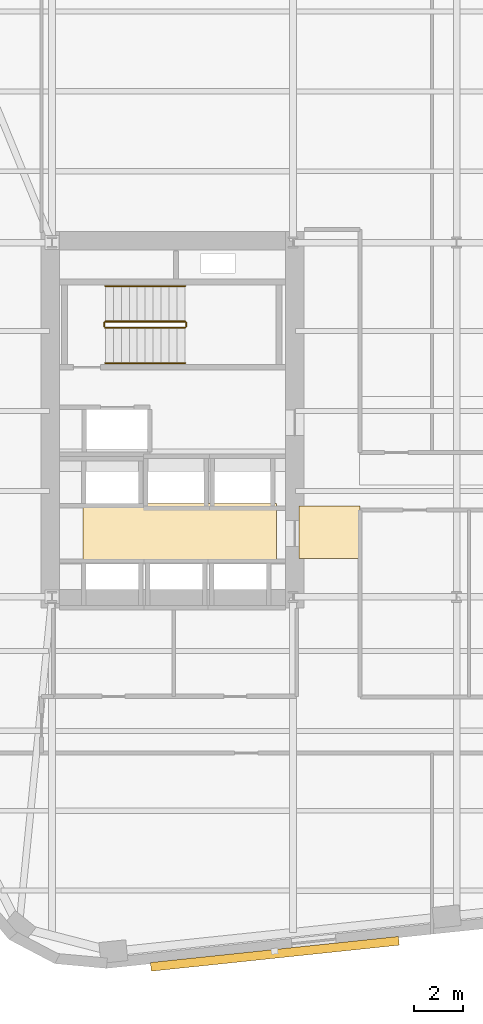
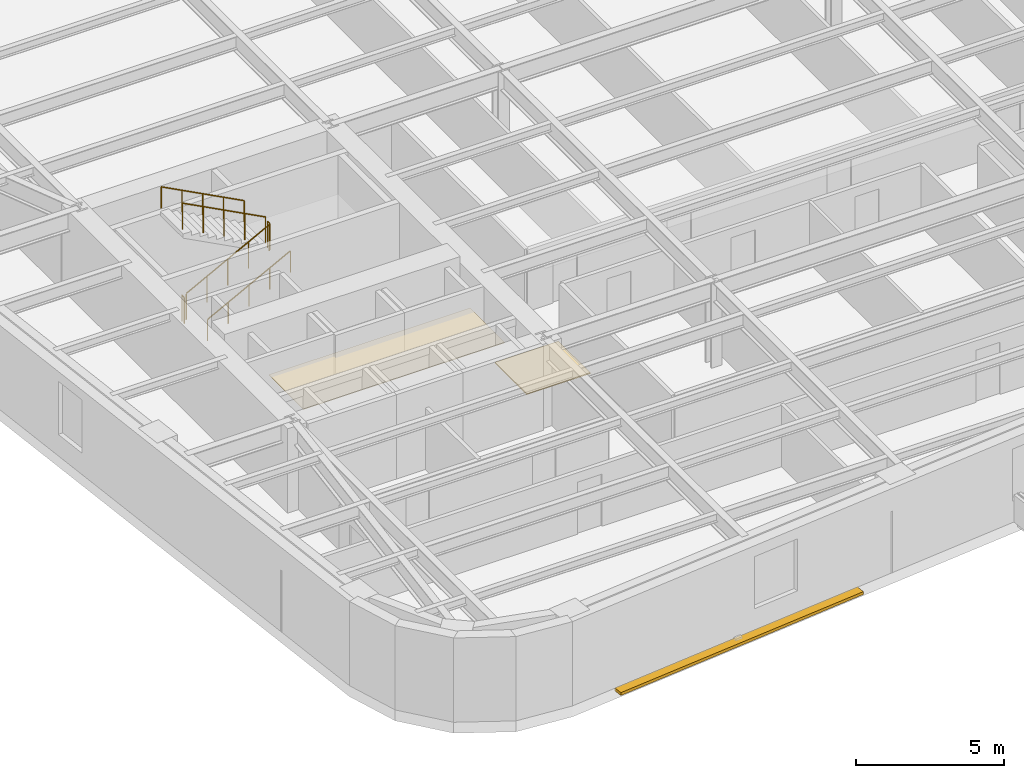
# One storey, part 8 of 11: 6 railings, 2 coverings, 1 shading device.
"""IFC4 building model written with IfcOpenShell, lengths in metres."""

from ifc_helpers import new_model, si_unit, direction, frame, origin, origin_2d, place, context, subcontext, project, spatial, polyline, rectangle, circle, outline, extrude, material, layer, layer_set, type_object, element, save


model = new_model("IFC4")

# Units and contexts
model_context = context("Model", 3, precision=1e-05, world=origin(), true_north=direction((0.0, 1.0)))
body_context = subcontext(model_context, "Body", "Model", "MODEL_VIEW")
ifc_project = project(units=[si_unit("LENGTHUNIT", "METRE"), si_unit("AREAUNIT", "SQUARE_METRE"), si_unit("VOLUMEUNIT", "CUBIC_METRE"), si_unit("PLANEANGLEUNIT", "RADIAN"), si_unit("MASSUNIT", "GRAM", prefix="KILO")], contexts=[model_context])

# Site, building, storey
site_placement = place(None, origin())
site = spatial("IfcSite", under=ifc_project, at=site_placement, CompositionType="ELEMENT")
building_placement = place(site_placement, origin())
building = spatial("IfcBuilding", under=site, at=building_placement, Name="Kolvaren Arena Tower", CompositionType="ELEMENT")
storey_placement = place(building_placement, frame((0.0, 0.0, 99.699951171875)))
storey = spatial("IfcBuildingStorey", under=building, at=storey_placement, Name="L22", CompositionType="ELEMENT", Elevation=99.699951171875)

# Coverings
ifc_material_1 = material(Name="Moisture-resistant gypsum ceiling", Category="gypsum")
ifc_layer_1 = layer(ifc_material_1, 0.030029296875)
ifc_layer_set_1 = layer_set([ifc_layer_1], Name="Moisture-resistant gypsum ceiling")
covering_type_1 = type_object("IfcCoveringType", Name="CEIL-GYP-1", PredefinedType="CEILING", material=ifc_layer_set_1)
covering_1_placement = place(storey_placement, frame((0.0, 0.0, 2.52001953125)))
element("IfcCovering", 1, at=covering_1_placement, inside=storey, type_object=covering_type_1, Name="Suspended Ceiling (L22)", PredefinedType="CEILING", context=body_context, shape_type="SweptSolid", body=[
    extrude(outline(polyline([(15.820068359375, 20.89990234375), (15.820068359375, 23.239990234375), (23.679931640625, 23.239990234375), (23.679931640625, 20.89990234375), (15.820068359375, 20.89990234375)])), origin(), (0.0, 0.0, 1.0), 0.030029296875),
])
ifc_material_2 = material(Name="Raised access office floor finish", Category="aluminium")
ifc_layer_2 = layer(ifc_material_2, 0.044921875)
ifc_layer_set_2 = layer_set([ifc_layer_2], Name="Raised access office floor finish")
covering_type_2 = type_object("IfcCoveringType", Name="FLOR-RAF-1", PredefinedType="FLOORING", material=ifc_layer_set_2)
covering_2_placement = place(storey_placement, origin())
element("IfcCovering", 2, at=covering_2_placement, inside=storey, type_object=covering_type_2, Name="Floor Finish (L22)", PredefinedType="FLOORING", context=body_context, shape_type="SweptSolid", body=[
    extrude(outline(polyline([(24.60009765625, 21.0), (24.60009765625, 23.14990234375), (27.080078125, 23.14990234375), (27.080078125, 21.0), (24.60009765625, 21.0)])), origin(), (0.0, 0.0, 1.0), 0.045166015625),
])

# Railings
ifc_material_3 = material(Name="Painted galvanized steel", Category="steel")
railing_type_1 = type_object("IfcRailingType", Name="GUARD-ST-110", PredefinedType="GUARDRAIL", material=ifc_material_3)
railing_1_placement = place(storey_placement, frame((16.719970703125, 30.389892578125, 0.17041015625)))
element("IfcRailing", 3, at=railing_1_placement, inside=storey, type_object=railing_type_1, Name="L22 ST-W1 stair guard 1", PredefinedType="GUARDRAIL", context=body_context, shape_type="SweptSolid", body=[
    extrude(circle(Radius=0.02392578125, at=origin_2d()), frame((0.0, 0.0, 1.076171875), z_axis=(0.884993431791, 0.0, 0.465603506952), x_axis=(0.0, 1.0, 0.0)), (0.0, 0.0, 1.0), 3.6611328125),
    extrude(circle(Radius=0.02099609375, at=origin_2d()), origin(), (0.0, 0.0, 1.0), 1.052001953125),
    extrude(circle(Radius=0.02099609375, at=origin_2d()), frame((0.81005859375, 0.0, 0.42626953125)), (0.0, 0.0, 1.0), 1.052001953125),
    extrude(circle(Radius=0.02099609375, at=origin_2d()), frame((1.6201171875, 0.0, 0.852294921875)), (0.0, 0.0, 1.0), 1.052001953125),
    extrude(circle(Radius=0.02099609375, at=origin_2d()), frame((2.429931640625, 0.0, 1.2783203125)), (0.0, 0.0, 1.0), 1.052001953125),
    extrude(circle(Radius=0.02099609375, at=origin_2d()), frame((3.239990234375, 0.0, 1.70458984375)), (0.0, 0.0, 1.0), 1.052001953125),
])
railing_2_placement = place(storey_placement, frame((20.010009765625, 30.43994140625, 1.875)))
element("IfcRailing", 4, at=railing_2_placement, inside=storey, type_object=railing_type_1, Name="L22 ST-W1 stair guard 2", PredefinedType="GUARDRAIL", context=body_context, shape_type="SweptSolid", body=[
    extrude(circle(Radius=0.02392578125, at=origin_2d()), frame((0.0, 0.0, 1.076171875), z_axis=(0.0, 1.0, 0.0), x_axis=(-1.0, 0.0, 0.0)), (0.0, 0.0, 1.0), 0.150146484375),
    extrude(circle(Radius=0.02099609375, at=origin_2d()), origin(), (0.0, 0.0, 1.0), 1.052001953125),
    extrude(circle(Radius=0.02099609375, at=origin_2d()), frame((0.0, 0.150146484375, 0.0)), (0.0, 0.0, 1.0), 1.052001953125),
])
railing_3_placement = place(storey_placement, frame((19.9599609375, 30.639892578125, 2.04541015625)))
element("IfcRailing", 5, at=railing_3_placement, inside=storey, type_object=railing_type_1, Name="L22 ST-W1 stair guard 3", PredefinedType="GUARDRAIL", context=body_context, shape_type="SweptSolid", body=[
    extrude(circle(Radius=0.02392578125, at=origin_2d()), frame((0.0, 0.0, 1.076171875), z_axis=(-0.884993431791, 0.0, 0.465603506952), x_axis=(0.0, -1.0, 0.0)), (0.0, 0.0, 1.0), 3.6611328125),
    extrude(circle(Radius=0.02099609375, at=origin_2d()), origin(), (0.0, 0.0, 1.0), 1.052001953125),
    extrude(circle(Radius=0.02099609375, at=origin_2d()), frame((-0.81005859375, 0.0, 0.42626953125)), (0.0, 0.0, 1.0), 1.052001953125),
    extrude(circle(Radius=0.02099609375, at=origin_2d()), frame((-1.6201171875, 0.0, 0.852294921875)), (0.0, 0.0, 1.0), 1.052001953125),
    extrude(circle(Radius=0.02099609375, at=origin_2d()), frame((-2.429931640625, 0.0, 1.2783203125)), (0.0, 0.0, 1.0), 1.052001953125),
    extrude(circle(Radius=0.02099609375, at=origin_2d()), frame((-3.239990234375, 0.0, 1.70458984375)), (0.0, 0.0, 1.0), 1.052001953125),
])
railing_4_placement = place(storey_placement, frame((16.669921875, 30.43994140625, 0.0)))
element("IfcRailing", 6, at=railing_4_placement, inside=storey, type_object=railing_type_1, Name="L22 ST-W1 stair guard 4", PredefinedType="GUARDRAIL", context=body_context, shape_type="SweptSolid", body=[
    extrude(circle(Radius=0.02392578125, at=origin_2d()), frame((0.0, 0.0, 1.076171875), z_axis=(0.0, 1.0, 0.0), x_axis=(-1.0, 0.0, 0.0)), (0.0, 0.0, 1.0), 0.150146484375),
    extrude(circle(Radius=0.02099609375, at=origin_2d()), origin(), (0.0, 0.0, 1.0), 1.052001953125),
    extrude(circle(Radius=0.02099609375, at=origin_2d()), frame((0.0, 0.150146484375, 0.0)), (0.0, 0.0, 1.0), 1.052001953125),
])
ifc_material_4 = material(Name="Brushed stainless steel handrail", Category="steel")
railing_type_2 = type_object("IfcRailingType", Name="HRAIL-900", PredefinedType="HANDRAIL", material=ifc_material_4)
railing_5_placement = place(storey_placement, frame((16.719970703125, 28.949951171875, 0.17041015625)))
element("IfcRailing", 7, at=railing_5_placement, inside=storey, type_object=railing_type_2, Name="L22 ST-W1 stair handrail 1", PredefinedType="HANDRAIL", context=body_context, shape_type="SweptSolid", body=[
    extrude(circle(Radius=0.02392578125, at=origin_2d()), frame((0.0, 0.0, 0.8759765625), z_axis=(0.884993431791, 0.0, 0.465603506952), x_axis=(0.0, 1.0, 0.0)), (0.0, 0.0, 1.0), 3.6611328125),
    extrude(circle(Radius=0.02099609375, at=origin_2d()), origin(), (0.0, 0.0, 1.0), 0.851806640625),
    extrude(circle(Radius=0.02099609375, at=origin_2d()), frame((0.81005859375, 0.0, 0.42626953125)), (0.0, 0.0, 1.0), 0.851806640625),
    extrude(circle(Radius=0.02099609375, at=origin_2d()), frame((1.6201171875, 0.0, 0.852294921875)), (0.0, 0.0, 1.0), 0.851806640625),
    extrude(circle(Radius=0.02099609375, at=origin_2d()), frame((2.429931640625, 0.0, 1.2783203125)), (0.0, 0.0, 1.0), 0.851806640625),
    extrude(circle(Radius=0.02099609375, at=origin_2d()), frame((3.239990234375, 0.0, 1.70458984375)), (0.0, 0.0, 1.0), 0.851806640625),
])
railing_6_placement = place(storey_placement, frame((19.9599609375, 32.080078125, 2.04541015625)))
element("IfcRailing", 8, at=railing_6_placement, inside=storey, type_object=railing_type_2, Name="L22 ST-W1 stair handrail 2", PredefinedType="HANDRAIL", context=body_context, shape_type="SweptSolid", body=[
    extrude(circle(Radius=0.02392578125, at=origin_2d()), frame((0.0, 0.0, 0.8759765625), z_axis=(-0.884993431791, 0.0, 0.465603506952), x_axis=(0.0, -1.0, 0.0)), (0.0, 0.0, 1.0), 3.6611328125),
    extrude(circle(Radius=0.02099609375, at=origin_2d()), origin(), (0.0, 0.0, 1.0), 0.851806640625),
    extrude(circle(Radius=0.02099609375, at=origin_2d()), frame((-0.81005859375, 0.0, 0.42626953125)), (0.0, 0.0, 1.0), 0.851806640625),
    extrude(circle(Radius=0.02099609375, at=origin_2d()), frame((-1.6201171875, 0.0, 0.852294921875)), (0.0, 0.0, 1.0), 0.851806640625),
    extrude(circle(Radius=0.02099609375, at=origin_2d()), frame((-2.429931640625, 0.0, 1.2783203125)), (0.0, 0.0, 1.0), 0.851806640625),
    extrude(circle(Radius=0.02099609375, at=origin_2d()), frame((-3.239990234375, 0.0, 1.70458984375)), (0.0, 0.0, 1.0), 0.851806640625),
])

# Shading device
ifc_material_5 = material(Name="Architectural precast GFRC and anodised aluminium sunshade", Category="concrete")
shading_device_type = type_object("IfcShadingDeviceType", Name="SHAD-SINE-A", PredefinedType="USERDEFINED", material=ifc_material_5)
shading_device_placement = place(storey_placement, frame((23.611572265625, 4.932373046875, -0.139892578125), z_axis=(0.0, 0.0, 1.0), x_axis=(-0.994522077803, -0.104526727499, 0.0)))
element("IfcShadingDevice", 9, at=shading_device_placement, inside=storey, type_object=shading_device_type, Name="Sinusoidal Slab-Edge Sunshade Louvre (L22)", ObjectType="LOUVRE", PredefinedType="USERDEFINED", context=body_context, shape_type="SweptSolid", body=[
    extrude(rectangle(XDim=10.139892578125, YDim=0.356201171875, at=origin_2d()), origin(), (0.0, 0.0, 1.0), 0.1201171875),
])

save(model, "model.ifc")
